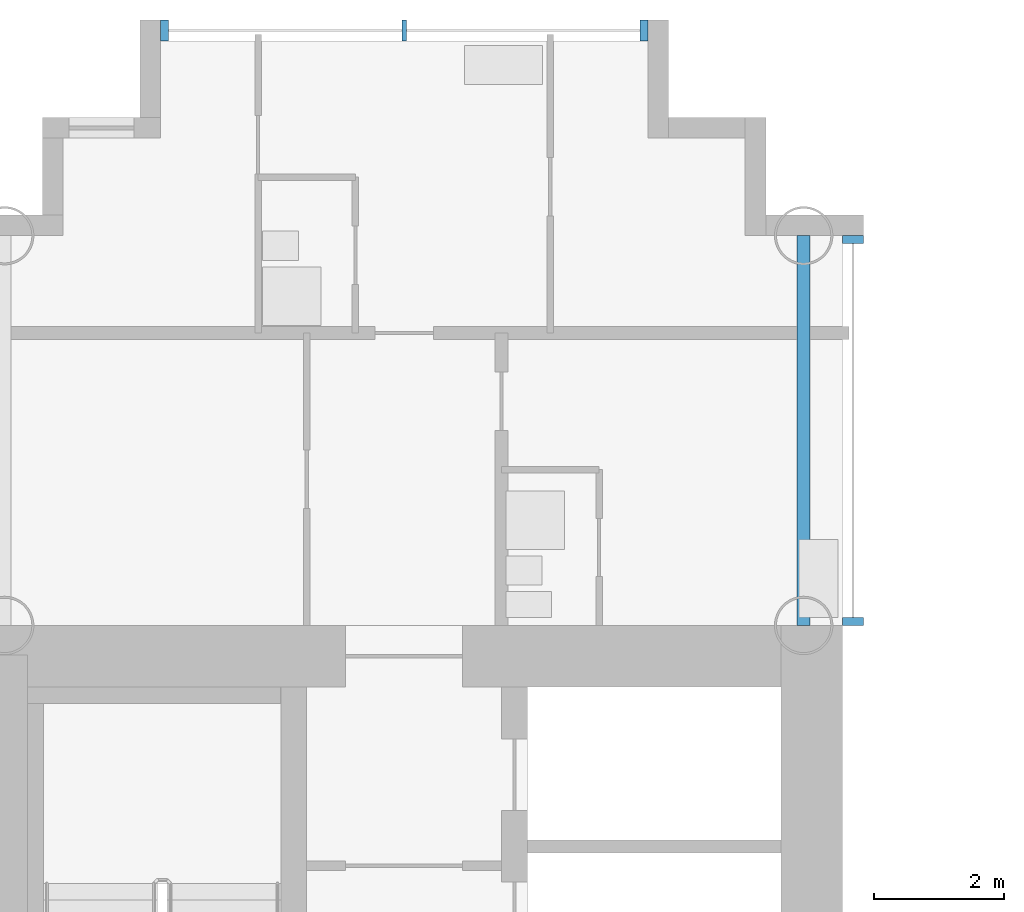
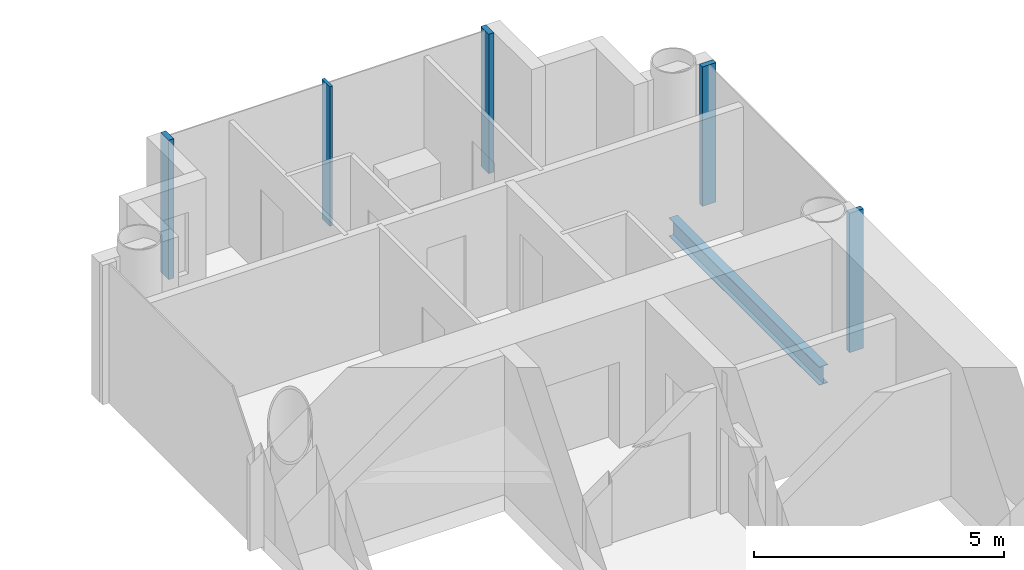
# One storey, part 6 of 22: 5 members, 1 beam, 2 elements without a shape of their own.
"""IFC4 building model written with IfcOpenShell, lengths in metres."""

from ifc_helpers import new_model, si_unit, direction, frame, origin, origin_2d, place, context, subcontext, project, spatial, rectangle, i_section, extrude, material, layer, layer_set, material_profile, profile_set, type_object, element, aggregate, save


model = new_model("IFC4")

# Units and contexts
model_context = context("Model", 3, precision=1e-05, world=origin(), true_north=direction((0.0, 1.0)))
body_context = subcontext(model_context, "Body", "Model", "MODEL_VIEW")
ifc_project = project(units=[si_unit("LENGTHUNIT", "METRE"), si_unit("AREAUNIT", "SQUARE_METRE"), si_unit("VOLUMEUNIT", "CUBIC_METRE"), si_unit("PLANEANGLEUNIT", "RADIAN"), si_unit("MASSUNIT", "GRAM", prefix="KILO")], contexts=[model_context])

# Site, building, storey
site_placement = place(None, origin())
site = spatial("IfcSite", under=ifc_project, at=site_placement, CompositionType="ELEMENT")
building_placement = place(site_placement, origin())
building = spatial("IfcBuilding", under=site, at=building_placement, Name="Ipe Terrace Towers", CompositionType="ELEMENT")
storey_placement = place(building_placement, frame((0.0, 0.0, 110.60009765625)))
storey = spatial("IfcBuildingStorey", under=building, at=storey_placement, Name="L30", CompositionType="ELEMENT", Elevation=110.60009765625)

# Beam
ifc_material_1 = material(Name="Steel S355", Category="steel")
ifc_material_profile_1 = material_profile(ifc_material_1, i_section(OverallWidth=0.199951171875, OverallDepth=0.449951171875, WebThickness=0.009033203125, FlangeThickness=0.013916015625, at=origin_2d()), Name="H-450x200x9x14")
ifc_profile_set_1 = profile_set([ifc_material_profile_1], Name="Steel S355")
beam_type = type_object("IfcBeamType", Name="H08 EDGE BEAM H-450x200x9x14", PredefinedType="BEAM", material=ifc_profile_set_1)
beam_placement = place(storey_placement, frame((42.14990234375, 15.75, -0.625), z_axis=(0.0, 1.0, 0.0), x_axis=(-1.0, 0.0, 0.0)))
element("IfcBeam", 1, at=beam_placement, inside=storey, type_object=beam_type, Name="Edge beam T2-EB-A01-A03", PredefinedType="BEAM", context=body_context, shape_type="SweptSolid", body=[
    extrude(i_section(OverallWidth=0.199951171875, OverallDepth=0.449951171875, WebThickness=0.009033203125, FlangeThickness=0.013916015625, at=origin_2d()), origin(), (0.0, 0.0, 1.0), 6.0),
])

# Curtain wall, members
ifc_material_2 = material(Name="Aluminium alloy 6063-T6", Category="aluminium")
ifc_layer = layer(ifc_material_2, 0.320068359375)
ifc_layer_set = layer_set([ifc_layer], Name="TOWER UNITISED CURTAIN WALL")
curtain_wall_type = type_object("IfcCurtainWallType", Name="TOWER UNITISED CURTAIN WALL", PredefinedType="NOTDEFINED", material=ifc_layer_set)
curtain_wall_1_placement = place(storey_placement, origin())
curtain_wall_1 = element("IfcCurtainWall", 2, at=curtain_wall_1_placement, inside=storey, type_object=curtain_wall_type, Name="T2-CW-L30-16b curtain wall", PredefinedType="NOTDEFINED")
ifc_material_3 = material(Name="Aluminium alloy 6063-T6", Category="aluminium")
ifc_material_profile_2 = material_profile(ifc_material_3, rectangle(XDim=0.320068359375, YDim=0.1201171875, at=origin_2d()), Name="TOWER UNITISED CORNER MULLION 320 x 120")
ifc_profile_set_2 = profile_set([ifc_material_profile_2], Name="Aluminium alloy 6063-T6")
member_type_1 = type_object("IfcMemberType", Name="TOWER UNITISED CORNER MULLION 320 x 120", PredefinedType="MULLION", material=ifc_profile_set_2)
member_1_placement = place(storey_placement, frame((42.909912109375, 15.81103515625, -0.300048828125), z_axis=(0.0, 0.0, 1.0), x_axis=(1.0, 0.0, 0.0)))
member_1 = element("IfcMember", 3, at=member_1_placement, type_object=member_type_1, Name="T2-CW-L30-16b mullion 1", PredefinedType="MULLION", context=body_context, shape_type="SweptSolid", body=[
    extrude(rectangle(XDim=0.320068359375, YDim=0.1201171875, at=origin_2d()), origin(), (0.0, 0.0, 1.0), 3.39990234375),
])
member_2_placement = place(storey_placement, frame((42.909912109375, 21.68994140625, -0.300048828125), z_axis=(0.0, 0.0, 1.0), x_axis=(1.0, 0.0, 0.0)))
member_2 = element("IfcMember", 4, at=member_2_placement, type_object=member_type_1, Name="T2-CW-L30-16b mullion 2", PredefinedType="MULLION", context=body_context, shape_type="SweptSolid", body=[
    extrude(rectangle(XDim=0.320068359375, YDim=0.1201171875, at=origin_2d()), origin(), (0.0, 0.0, 1.0), 3.39990234375),
])
aggregate(curtain_wall_1, [member_1, member_2])

curtain_wall_2_placement = place(storey_placement, origin())
curtain_wall_2 = element("IfcCurtainWall", 5, at=curtain_wall_2_placement, inside=storey, type_object=curtain_wall_type, Name="T2-CW-L30-21a curtain wall", PredefinedType="NOTDEFINED")
member_3_placement = place(storey_placement, frame((39.68994140625, 24.909912109375, -0.300048828125), z_axis=(0.0, 0.0, 1.0), x_axis=(0.0, 1.0, 0.0)))
member_3 = element("IfcMember", 6, at=member_3_placement, type_object=member_type_1, Name="T2-CW-L30-21a mullion 1", PredefinedType="MULLION", context=body_context, shape_type="SweptSolid", body=[
    extrude(rectangle(XDim=0.320068359375, YDim=0.1201171875, at=origin_2d()), origin(), (0.0, 0.0, 1.0), 3.39990234375),
])
member_4_placement = place(storey_placement, frame((32.31005859375, 24.909912109375, -0.300048828125), z_axis=(0.0, 0.0, 1.0), x_axis=(0.0, 1.0, 0.0)))
member_4 = element("IfcMember", 7, at=member_4_placement, type_object=member_type_1, Name="T2-CW-L30-21a mullion 3", PredefinedType="MULLION", context=body_context, shape_type="SweptSolid", body=[
    extrude(rectangle(XDim=0.320068359375, YDim=0.1201171875, at=origin_2d()), origin(), (0.0, 0.0, 1.0), 3.39990234375),
])
ifc_material_4 = material(Name="Aluminium alloy 6063-T6", Category="aluminium")
ifc_material_profile_3 = material_profile(ifc_material_4, rectangle(XDim=0.320068359375, YDim=0.06494140625, at=origin_2d()), Name="TOWER UNITISED MULLION 320 x 65")
ifc_profile_set_3 = profile_set([ifc_material_profile_3], Name="Aluminium alloy 6063-T6")
member_type_2 = type_object("IfcMemberType", Name="TOWER UNITISED MULLION 320 x 65", PredefinedType="MULLION", material=ifc_profile_set_3)
member_5_placement = place(storey_placement, frame((36.0, 24.909912109375, -0.300048828125), z_axis=(0.0, 0.0, 1.0), x_axis=(0.0, 1.0, 0.0)))
member_5 = element("IfcMember", 8, at=member_5_placement, type_object=member_type_2, Name="T2-CW-L30-21a mullion 2", PredefinedType="MULLION", context=body_context, shape_type="SweptSolid", body=[
    extrude(rectangle(XDim=0.320068359375, YDim=0.06494140625, at=origin_2d()), origin(), (0.0, 0.0, 1.0), 3.39990234375),
])
aggregate(curtain_wall_2, [member_3, member_5, member_4])

save(model, "model.ifc")
